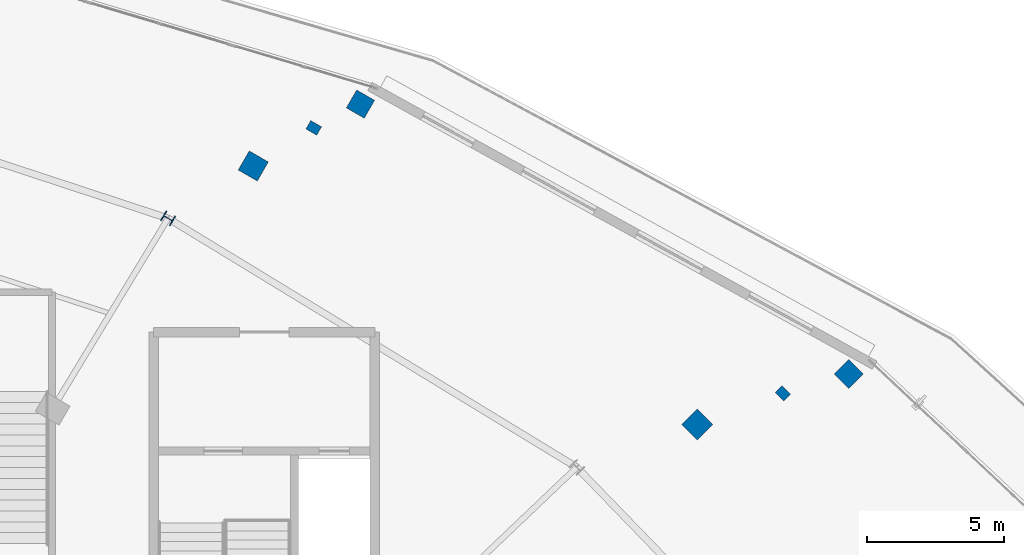
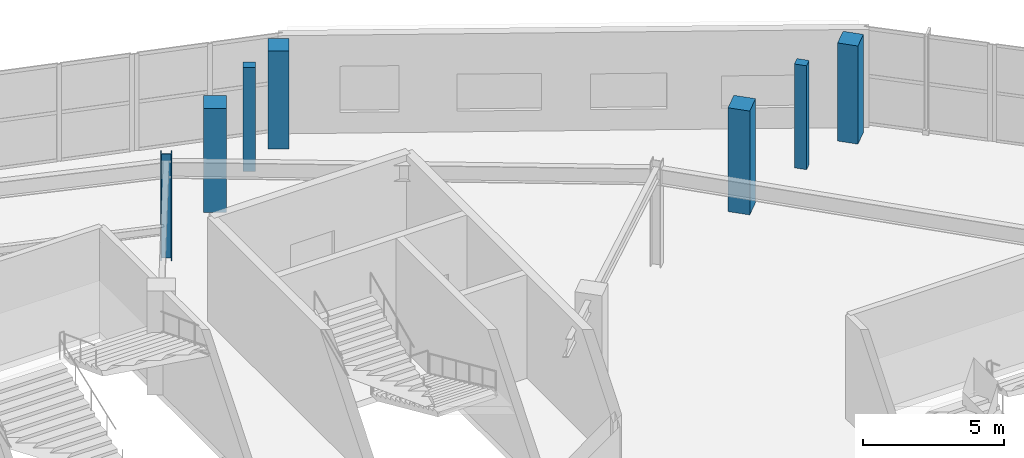
# One storey, part 15 of 107: 7 columns.
"""IFC4 building model written with IfcOpenShell, lengths in metres."""

import ifcopenshell
import ifcopenshell.guid

model = None  # the IFC model being written
_history = None  # IfcOwnerHistory: only IFC2X3 demands one
_inside = {}  # id of a spatial element -> (the spatial element, [elements in it])
_under = {}  # id of a project, library or spatial element -> (it, [spatial elements below it])
_declared = {}  # id of a project -> (the project, [libraries it declares])
_typed = {}  # id of a type object -> (the type object, [elements of that type])
_made_of = {}  # id of a material, layer set ... -> (it, [elements and type objects made of it])


def new_model(schema):
    """Start an empty IFC model of exactly this schema.

    Asked for "IFC4X3", IfcOpenShell would pick the latest addendum, in which some entities
    have other attributes; the version numbers below select the first issue.
    IFC2X3 requires an IfcOwnerHistory on every rooted entity: one is made here for all.
    """
    global model, _history
    if schema == "IFC4X3":
        model = ifcopenshell.file(schema_version=(4, 3, 0, 0))
    else:
        model = ifcopenshell.file(schema=schema)
    _inside.clear()
    _under.clear()
    _declared.clear()
    _typed.clear()
    _made_of.clear()
    _history = None
    if model.schema == "IFC2X3":
        org = make("IfcOrganization", Name="unknown")
        user = make(
            "IfcPersonAndOrganization",
            ThePerson=make("IfcPerson", FamilyName="unknown"),
            TheOrganization=org,
        )
        app = make(
            "IfcApplication",
            ApplicationDeveloper=org,
            Version="unknown",
            ApplicationFullName="unknown",
            ApplicationIdentifier="unknown",
        )
        _history = make(
            "IfcOwnerHistory",
            OwningUser=user,
            OwningApplication=app,
            ChangeAction="ADDED",
            CreationDate=0,
        )
    return model


def make(cls, **values):
    """One entity of the class cls with the attributes given. An attribute that is None is left unset."""
    return model.create_entity(
        cls, **{name: value for name, value in values.items() if value is not None}
    )


def rooted(cls, **values):
    """An entity with a GlobalId (a new one), such as an element, a storey or a relation."""
    return make(cls, GlobalId=ifcopenshell.guid.new(), OwnerHistory=_history, **values)


def si_unit(unit_type, name, prefix=None):
    """IfcSIUnit, for example si_unit("LENGTHUNIT", "METRE", prefix="MILLI")."""
    return make("IfcSIUnit", UnitType=unit_type, Prefix=prefix, Name=name)


def assignment(units):
    """IfcUnitAssignment: the units of a project."""
    return None if units is None else make("IfcUnitAssignment", Units=units)


def point(xyz):
    """IfcCartesianPoint."""
    return None if xyz is None else make("IfcCartesianPoint", Coordinates=xyz)


def direction(xyz):
    """IfcDirection."""
    return None if xyz is None else make("IfcDirection", DirectionRatios=xyz)


def frame(location, z_axis=None, x_axis=None):
    """IfcAxis2Placement3D, a coordinate frame: its origin and axes. An axis left out is left unset."""
    return make(
        "IfcAxis2Placement3D",
        Location=point(location),
        Axis=direction(z_axis),
        RefDirection=direction(x_axis),
    )


def frame_2d(location, x_axis=None):
    """IfcAxis2Placement2D, a coordinate frame in the plane: its origin and x axis."""
    return make(
        "IfcAxis2Placement2D", Location=point(location), RefDirection=direction(x_axis)
    )


def origin():
    """The frame at (0, 0, 0) with its axes left unset."""
    return frame((0.0, 0.0, 0.0))


def origin_2d():
    """The frame at (0, 0) in the plane with its x axis left unset."""
    return frame_2d((0.0, 0.0))


def place(relative_to, where):
    """IfcLocalPlacement: puts the frame where relative to a parent placement (None: the world)."""
    return make(
        "IfcLocalPlacement", PlacementRelTo=relative_to, RelativePlacement=where
    )


def context(
    kind, dimensions, precision=None, world=None, true_north=None, identifier=None
):
    """IfcGeometricRepresentationContext, for example the 3D "Model" context."""
    return make(
        "IfcGeometricRepresentationContext",
        ContextIdentifier=identifier,
        ContextType=kind,
        CoordinateSpaceDimension=dimensions,
        Precision=precision,
        WorldCoordinateSystem=world,
        TrueNorth=true_north,
    )


def subcontext(parent, identifier, kind, view, scale=None):
    """IfcGeometricRepresentationSubContext, for example "Body" below "Model"."""
    return make(
        "IfcGeometricRepresentationSubContext",
        ContextIdentifier=identifier,
        ContextType=kind,
        ParentContext=parent,
        TargetScale=scale,
        TargetView=view,
    )


def project(units=None, contexts=None):
    """IfcProject with its units and contexts."""
    return rooted(
        "IfcProject",
        Name="project",
        RepresentationContexts=contexts,
        UnitsInContext=assignment(units),
    )


def spatial(cls, under=None, at=None, **own):
    """A site, building, storey or space (cls), placed at a placement, below another one or the project."""
    s = rooted(cls, ObjectPlacement=at, **own)
    if under is not None:
        _under.setdefault(under.id(), (under, []))[1].append(s)
    return s


def profile(cls, at=None, kind="AREA", **sizes):
    """A parametric profile (cls). Its sizes go by their IFC names, for example OverallWidth=200.0."""
    return make(cls, ProfileType=kind, Position=at, **sizes)


def rectangle(**sizes):
    """IfcRectangleProfileDef."""
    return profile("IfcRectangleProfileDef", **sizes)


def i_section(**sizes):
    """IfcIShapeProfileDef."""
    return profile("IfcIShapeProfileDef", **sizes)


def extrude(swept, where, along, depth):
    """IfcExtrudedAreaSolid: the profile swept, set in the frame where, extruded along a direction by depth."""
    return make(
        "IfcExtrudedAreaSolid",
        SweptArea=swept,
        Position=where,
        ExtrudedDirection=direction(along),
        Depth=depth,
    )


def shape(context_of_items, identifier, shape_type, items):
    """IfcShapeRepresentation: the items that make up one representation, for example the "Body"."""
    return make(
        "IfcShapeRepresentation",
        ContextOfItems=context_of_items,
        RepresentationIdentifier=identifier,
        RepresentationType=shape_type,
        Items=items,
    )


def material(Name=None, Category=None):
    """IfcMaterial."""
    return make("IfcMaterial", Name=Name, Category=Category)


def material_profile(
    of_material, cross_section, Name=None, Category=None, Priority=None
):
    """IfcMaterialProfile: a cross section and its material."""
    return make(
        "IfcMaterialProfile",
        Name=Name,
        Material=of_material,
        Profile=cross_section,
        Priority=Priority,
        Category=Category,
    )


def profile_set(profiles, Name=None, composite=None):
    """IfcMaterialProfileSet."""
    return make(
        "IfcMaterialProfileSet",
        Name=Name,
        MaterialProfiles=profiles,
        CompositeProfile=composite,
    )


def made_of(thing, what):
    """Note that an element or type object is made of a material, layer set ...; save() writes the relation."""
    if what is not None:
        _made_of.setdefault(what.id(), (what, []))[1].append(thing)
    return thing


def type_object(cls, material=None, **own):
    """A type object (cls), such as IfcWallType, which elements share."""
    return made_of(rooted(cls, **own), material)


def element(
    cls,
    number,
    at=None,
    inside=None,
    cuts=None,
    type_object=None,
    material=None,
    context=None,
    identifier="Body",
    shape_type=None,
    held_by="IfcProductDefinitionShape",
    body=None,
    shapes=None,
    **own,
):
    """One element of the class cls, such as IfcWall. Its Tag is "e" and its number.

    at: its placement. inside: the storey or other place that contains it. cuts: it is an
    opening in that element (IfcRelVoidsElement). A single representation is given by context,
    identifier, shape_type and body (its items); several are given by shapes. held_by: the class
    of the entity that holds the representations. save() writes the other relations.
    """
    e = rooted(cls, Tag="e%d" % number, ObjectPlacement=at, **own)
    if body is not None:
        shapes = [shape(context, identifier, shape_type, body)]
    if shapes is not None:
        e.Representation = make(held_by, Representations=shapes)
    if inside is not None:
        _inside.setdefault(inside.id(), (inside, []))[1].append(e)
    if cuts is not None:
        rooted(
            "IfcRelVoidsElement", RelatingBuildingElement=cuts, RelatedOpeningElement=e
        )
    if type_object is not None:
        _typed.setdefault(type_object.id(), (type_object, []))[1].append(e)
    return made_of(e, material)


def aggregate(whole, parts):
    """IfcRelAggregates: a whole, such as a stair, and the parts it consists of."""
    return rooted("IfcRelAggregates", RelatingObject=whole, RelatedObjects=parts)


def save(model, path):
    """Write the relations noted so far, then the file.

    IfcRelAggregates (storeys below a building ...), IfcRelContainedInSpatialStructure (elements
    in a storey), IfcRelDefinesByType, IfcRelAssociatesMaterial and IfcRelDeclares: one each for
    every whole, place, type object, material and project.
    """
    for whole, parts in _under.values():
        aggregate(whole, parts)
    for where, things in _inside.values():
        rooted(
            "IfcRelContainedInSpatialStructure",
            RelatedElements=things,
            RelatingStructure=where,
        )
    for kind, things in _typed.values():
        rooted("IfcRelDefinesByType", RelatedObjects=things, RelatingType=kind)
    for what, things in _made_of.values():
        rooted("IfcRelAssociatesMaterial", RelatedObjects=things, RelatingMaterial=what)
    for by, libraries in _declared.values():
        rooted("IfcRelDeclares", RelatingContext=by, RelatedDefinitions=libraries)
    model.write(path)


model = new_model("IFC4")

# Units and contexts
model_context = context("Model", 3, precision=1e-05, world=origin(), true_north=direction((0.0, 1.0)))
body_context = subcontext(model_context, "Body", "Model", "MODEL_VIEW")
ifc_project = project(units=[si_unit("LENGTHUNIT", "METRE"), si_unit("AREAUNIT", "SQUARE_METRE"), si_unit("VOLUMEUNIT", "CUBIC_METRE"), si_unit("PLANEANGLEUNIT", "RADIAN"), si_unit("MASSUNIT", "GRAM", prefix="KILO")], contexts=[model_context])

# Site, building, storey
site_placement = place(None, origin())
site = spatial("IfcSite", under=ifc_project, at=site_placement, CompositionType="ELEMENT")
building_placement = place(site_placement, origin())
building = spatial("IfcBuilding", under=site, at=building_placement, Name="Kalgoora Escarpment Arena", CompositionType="ELEMENT")
storey_placement = place(building_placement, frame((0.0, 0.0, 5.39990234375)))
storey = spatial("IfcBuildingStorey", under=building, at=storey_placement, Name="L01", CompositionType="ELEMENT", Elevation=5.39990234375)

# Columns
ifc_material_1 = material(Name="Structural steel Grade 350 (350 MPa)", Category="steel")
ifc_material_profile_1 = material_profile(ifc_material_1, i_section(OverallWidth=0.39990234375, OverallDepth=0.39990234375, WebThickness=0.01806640625, FlangeThickness=0.031982421875, at=origin_2d()))
ifc_profile_set_1 = profile_set([ifc_material_profile_1], Name="Structural steel Grade 350 (350 MPa)")
column_type_1 = type_object("IfcColumnType", Name="COL-COL-400WC270", PredefinedType="COLUMN", material=ifc_profile_set_1)
column_placement = place(storey_placement, frame((128.300048828125, 113.36328125, 0.0), z_axis=(0.0, 0.0, 1.0), x_axis=(0.5, 0.866025403784, 0.0)))
element("IfcColumn", 1, at=column_placement, inside=storey, type_object=column_type_1, Name="L01 structural column COL-RCONC2-R05", PredefinedType="COLUMN", context=body_context, shape_type="SweptSolid", body=[
    extrude(i_section(OverallWidth=0.39990234375, OverallDepth=0.39990234375, WebThickness=0.01806640625, FlangeThickness=0.031982421875, at=origin_2d()), origin(), (0.0, 0.0, 1.0), 4.5),
])
ifc_material_2 = material(Name="Concrete N50 (fc' 50 MPa)", Category="concrete")
ifc_material_profile_2 = material_profile(ifc_material_2, rectangle(XDim=0.75, YDim=0.75, at=origin_2d()))
ifc_profile_set_2 = profile_set([ifc_material_profile_2], Name="Concrete N50 (fc' 50 MPa)")
column_type_2 = type_object("IfcColumnType", Name="COL-COL-RC750x750", PredefinedType="COLUMN", material=ifc_profile_set_2)
for number, where, z_axis, x_axis, name in (
    (2, (153.06982421875, 107.69921875, 0.0), (0.0, 0.0, 1.0), (0.707106781187, 0.707106781187, 0.0), "L01 structural column COL-RBASE2-R04"),
    (3, (135.300048828125, 117.5205078125, 0.0), (0.0, 0.0, 1.0), (0.5, 0.866025403784, 0.0), "L01 structural column COL-RBASE2-R05"),
):
    element("IfcColumn", number, at=place(storey_placement, frame(where, z_axis=z_axis, x_axis=x_axis)), inside=storey, type_object=column_type_2, Name=name, PredefinedType="COLUMN", context=body_context, shape_type="SweptSolid", body=[
        extrude(rectangle(XDim=0.75, YDim=0.75, at=origin_2d()), origin(), (0.0, 0.0, 1.0), 4.25),
    ])
ifc_material_3 = material(Name="Concrete N50 (fc' 50 MPa)", Category="concrete")
ifc_material_profile_3 = material_profile(ifc_material_3, rectangle(XDim=0.800048828125, YDim=0.800048828125, at=origin_2d()))
ifc_profile_set_3 = profile_set([ifc_material_profile_3], Name="Concrete N50 (fc' 50 MPa)")
column_type_3 = type_object("IfcColumnType", Name="COL-COL-RC800x800", PredefinedType="COLUMN", material=ifc_profile_set_3)
for number, where, z_axis, x_axis, name in (
    (4, (147.55419921875, 105.860595703125, 0.0), (0.0, 0.0, 1.0), (0.707106781187, 0.707106781187, 0.0), "L01 structural column COL-RBASE1-R04"),
    (5, (131.39990234375, 115.268798828125, 0.0), (0.0, 0.0, 1.0), (0.5, 0.866025403784, 0.0), "L01 structural column COL-RBASE1-R05"),
):
    element("IfcColumn", number, at=place(storey_placement, frame(where, z_axis=z_axis, x_axis=x_axis)), inside=storey, type_object=column_type_3, Name=name, PredefinedType="COLUMN", context=body_context, shape_type="SweptSolid", body=[
        extrude(rectangle(XDim=0.800048828125, YDim=0.800048828125, at=origin_2d()), origin(), (0.0, 0.0, 1.0), 4.5),
    ])
ifc_material_4 = material(Name="Precast concrete N50 (fc' 50 MPa)", Category="concrete")
ifc_material_profile_4 = material_profile(ifc_material_4, rectangle(XDim=0.35009765625, YDim=0.449951171875, at=origin_2d()))
ifc_profile_set_4 = profile_set([ifc_material_profile_4], Name="Precast concrete N50 (fc' 50 MPa)")
column_type_4 = type_object("IfcColumnType", Name="COL-PIL-PC-PILASTER-450x350", PredefinedType="PILASTER", material=ifc_profile_set_4)
for number, where, z_axis, x_axis, name in (
    (6, (150.666015625, 106.991943359375, 0.0), (0.0, 0.0, 1.0), (0.707106781187, 0.707106781187, 0.0), "L01 fluted pilaster PIL-049"),
    (7, (133.60009765625, 116.654052734375, 0.0), (0.0, 0.0, 1.0), (0.5, 0.866025403784, 0.0), "L01 fluted pilaster PIL-050"),
):
    element("IfcColumn", number, at=place(storey_placement, frame(where, z_axis=z_axis, x_axis=x_axis)), inside=storey, type_object=column_type_4, Name=name, PredefinedType="PILASTER", context=body_context, shape_type="SweptSolid", body=[
        extrude(rectangle(XDim=0.35009765625, YDim=0.449951171875, at=origin_2d()), origin(), (0.0, 0.0, 1.0), 4.5),
    ])

save(model, "model.ifc")
